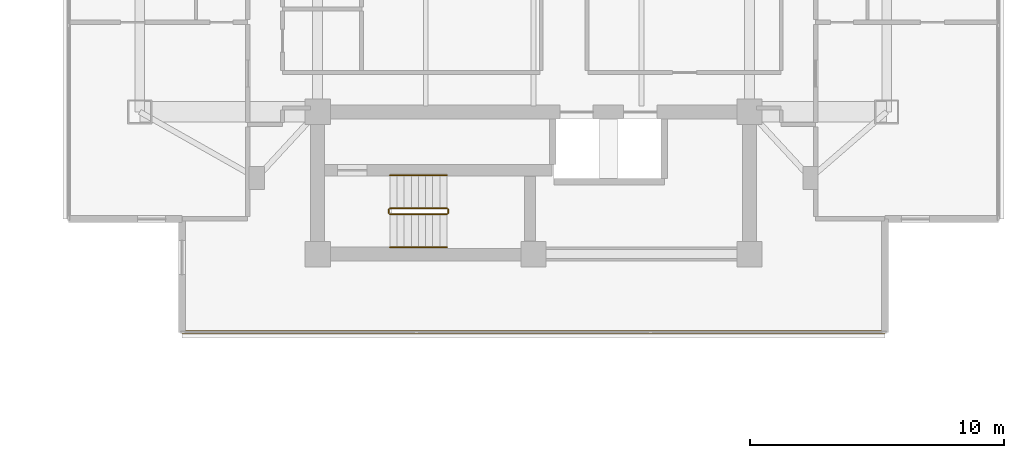
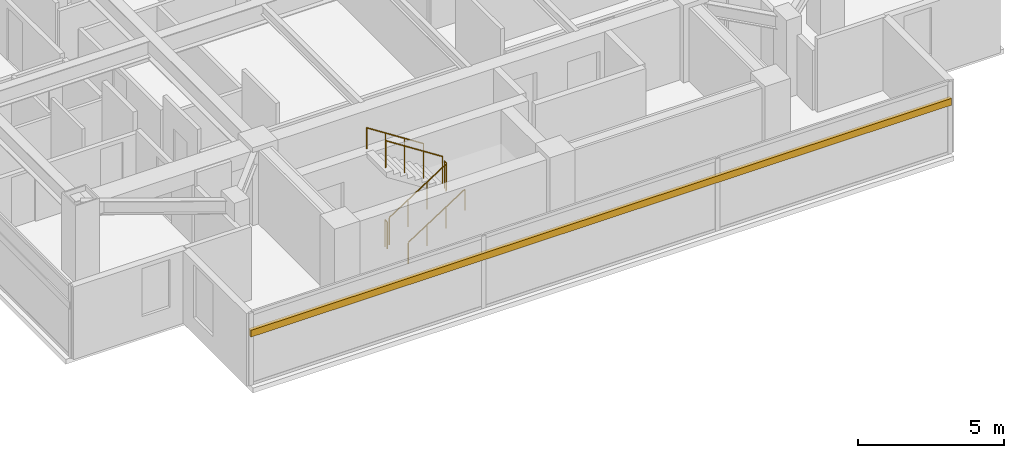
# One storey, part 23 of 25: 6 railings, 1 shading device.
"""IFC4 building model written with IfcOpenShell, lengths in metres."""

from ifc_helpers import new_model, si_unit, direction, frame, origin, origin_2d, place, context, subcontext, project, spatial, rectangle, circle, extrude, material, material_profile, profile_set, type_object, element, save


model = new_model("IFC4")

# Units and contexts
model_context = context("Model", 3, precision=1e-05, world=origin(), true_north=direction((0.0, 1.0)))
body_context = subcontext(model_context, "Body", "Model", "MODEL_VIEW")
ifc_project = project(units=[si_unit("LENGTHUNIT", "METRE"), si_unit("AREAUNIT", "SQUARE_METRE"), si_unit("VOLUMEUNIT", "CUBIC_METRE"), si_unit("PLANEANGLEUNIT", "RADIAN"), si_unit("MASSUNIT", "GRAM", prefix="KILO")], contexts=[model_context])

# Site, building, storey
site_placement = place(None, origin())
site = spatial("IfcSite", under=ifc_project, at=site_placement, CompositionType="ELEMENT")
building_placement = place(site_placement, origin())
building = spatial("IfcBuilding", under=site, at=building_placement, Name="Mirazonda Arch Towers", CompositionType="ELEMENT")
storey_placement = place(building_placement, frame((0.0, 0.0, 177.14990234375)))
storey = spatial("IfcBuildingStorey", under=building, at=storey_placement, Name="L50", CompositionType="ELEMENT", Elevation=177.14990234375)

# Shading device
ifc_material_1 = material(Name="Kiln-Fired Architectural Terracotta", Category="masonry")
ifc_material_profile = material_profile(ifc_material_1, rectangle(XDim=0.139892578125, YDim=0.280029296875, at=origin_2d()), Name="TERRA-BAG-140x280")
ifc_profile_set = profile_set([ifc_material_profile], Name="Kiln-Fired Architectural Terracotta")
shading_device_type = type_object("IfcShadingDeviceType", Name="BAGUETTE-3", PredefinedType="USERDEFINED", material=ifc_profile_set)
shading_device_placement = place(storey_placement, frame((90.333251953125, 12.12548828125, 2.181640625), z_axis=(-1.0, 0.0, 0.0), x_axis=(0.0, -1.0, 0.0)))
element("IfcShadingDevice", 1, at=shading_device_placement, inside=storey, type_object=shading_device_type, Name="L50 Glazed Terracotta Sun-Screen Baguette CW-L50-T2-S", ObjectType="BAGUETTE", PredefinedType="USERDEFINED", context=body_context, shape_type="SweptSolid", body=[
    extrude(rectangle(XDim=0.139892578125, YDim=0.280029296875, at=origin_2d()), origin(), (0.0, 0.0, 1.0), 27.66650390625),
])

# Railings
ifc_material_2 = material(Name="Architectural Brushed Steel S355", Category="steel")
railing_type_1 = type_object("IfcRailingType", Name="GUARD-STAIR-1120", PredefinedType="GUARDRAIL", material=ifc_material_2)
railing_1_placement = place(storey_placement, frame((70.85009765625, 16.77001953125, 0.1806640625)))
element("IfcRailing", 2, at=railing_1_placement, inside=storey, type_object=railing_type_1, Name="L50 ST-T2S stair guard 1", PredefinedType="GUARDRAIL", context=body_context, shape_type="SweptSolid", body=[
    extrude(circle(Radius=0.02392578125, at=origin_2d()), frame((0.0, 0.0, 1.1259765625), z_axis=(0.840436612492, 0.0, 0.541909863706), x_axis=(0.0, 1.0, 0.0)), (0.0, 0.0, 1.0), 2.665283203125),
    extrude(circle(Radius=0.02099609375, at=origin_2d()), origin(), (0.0, 0.0, 1.0), 1.101806640625),
    extrude(circle(Radius=0.02099609375, at=origin_2d()), frame((0.74658203125, 0.0, 0.4814453125)), (0.0, 0.0, 1.0), 1.101806640625),
    extrude(circle(Radius=0.02099609375, at=origin_2d()), frame((1.493408203125, 0.0, 0.962890625)), (0.0, 0.0, 1.0), 1.101806640625),
    extrude(circle(Radius=0.02099609375, at=origin_2d()), frame((2.239990234375, 0.0, 1.4443359375)), (0.0, 0.0, 1.0), 1.101806640625),
])
railing_2_placement = place(storey_placement, frame((73.139892578125, 16.820068359375, 1.625)))
element("IfcRailing", 3, at=railing_2_placement, inside=storey, type_object=railing_type_1, Name="L50 ST-T2S stair guard 2", PredefinedType="GUARDRAIL", context=body_context, shape_type="SweptSolid", body=[
    extrude(circle(Radius=0.02392578125, at=origin_2d()), frame((0.0, 0.0, 1.1259765625), z_axis=(0.0, 1.0, 0.0), x_axis=(-1.0, 0.0, 0.0)), (0.0, 0.0, 1.0), 0.139892578125),
    extrude(circle(Radius=0.02099609375, at=origin_2d()), origin(), (0.0, 0.0, 1.0), 1.101806640625),
    extrude(circle(Radius=0.02099609375, at=origin_2d()), frame((0.0, 0.139892578125, 0.0)), (0.0, 0.0, 1.0), 1.101806640625),
])
railing_3_placement = place(storey_placement, frame((73.090087890625, 17.010009765625, 1.8056640625)))
element("IfcRailing", 4, at=railing_3_placement, inside=storey, type_object=railing_type_1, Name="L50 ST-T2S stair guard 3", PredefinedType="GUARDRAIL", context=body_context, shape_type="SweptSolid", body=[
    extrude(circle(Radius=0.02392578125, at=origin_2d()), frame((0.0, 0.0, 1.1259765625), z_axis=(-0.840436612492, 0.0, 0.541909863706), x_axis=(0.0, -1.0, 0.0)), (0.0, 0.0, 1.0), 2.665283203125),
    extrude(circle(Radius=0.02099609375, at=origin_2d()), origin(), (0.0, 0.0, 1.0), 1.101806640625),
    extrude(circle(Radius=0.02099609375, at=origin_2d()), frame((-0.74658203125, 0.0, 0.4814453125)), (0.0, 0.0, 1.0), 1.101806640625),
    extrude(circle(Radius=0.02099609375, at=origin_2d()), frame((-1.493408203125, 0.0, 0.962890625)), (0.0, 0.0, 1.0), 1.101806640625),
    extrude(circle(Radius=0.02099609375, at=origin_2d()), frame((-2.239990234375, 0.0, 1.4443359375)), (0.0, 0.0, 1.0), 1.101806640625),
])
railing_4_placement = place(storey_placement, frame((70.800048828125, 16.820068359375, 0.0)))
element("IfcRailing", 5, at=railing_4_placement, inside=storey, type_object=railing_type_1, Name="L50 ST-T2S stair guard 4", PredefinedType="GUARDRAIL", context=body_context, shape_type="SweptSolid", body=[
    extrude(circle(Radius=0.02392578125, at=origin_2d()), frame((0.0, 0.0, 1.1259765625), z_axis=(0.0, 1.0, 0.0), x_axis=(-1.0, 0.0, 0.0)), (0.0, 0.0, 1.0), 0.139892578125),
    extrude(circle(Radius=0.02099609375, at=origin_2d()), origin(), (0.0, 0.0, 1.0), 1.101806640625),
    extrude(circle(Radius=0.02099609375, at=origin_2d()), frame((0.0, 0.139892578125, 0.0)), (0.0, 0.0, 1.0), 1.101806640625),
])
railing_type_2 = type_object("IfcRailingType", Name="HANDRAIL-915", PredefinedType="HANDRAIL", material=ifc_material_2)
railing_5_placement = place(storey_placement, frame((70.85009765625, 15.469970703125, 0.1806640625)))
element("IfcRailing", 6, at=railing_5_placement, inside=storey, type_object=railing_type_2, Name="L50 ST-T2S stair handrail 1", PredefinedType="HANDRAIL", context=body_context, shape_type="SweptSolid", body=[
    extrude(circle(Radius=0.02392578125, at=origin_2d()), frame((0.0, 0.0, 0.8759765625), z_axis=(0.840436612492, 0.0, 0.541909863706), x_axis=(0.0, 1.0, 0.0)), (0.0, 0.0, 1.0), 2.665283203125),
    extrude(circle(Radius=0.02099609375, at=origin_2d()), origin(), (0.0, 0.0, 1.0), 0.851806640625),
    extrude(circle(Radius=0.02099609375, at=origin_2d()), frame((0.74658203125, 0.0, 0.4814453125)), (0.0, 0.0, 1.0), 0.851806640625),
    extrude(circle(Radius=0.02099609375, at=origin_2d()), frame((1.493408203125, 0.0, 0.962890625)), (0.0, 0.0, 1.0), 0.851806640625),
    extrude(circle(Radius=0.02099609375, at=origin_2d()), frame((2.239990234375, 0.0, 1.4443359375)), (0.0, 0.0, 1.0), 0.851806640625),
])
railing_6_placement = place(storey_placement, frame((73.090087890625, 18.31005859375, 1.8056640625)))
element("IfcRailing", 7, at=railing_6_placement, inside=storey, type_object=railing_type_2, Name="L50 ST-T2S stair handrail 2", PredefinedType="HANDRAIL", context=body_context, shape_type="SweptSolid", body=[
    extrude(circle(Radius=0.02392578125, at=origin_2d()), frame((0.0, 0.0, 0.8759765625), z_axis=(-0.840436612492, 0.0, 0.541909863706), x_axis=(0.0, -1.0, 0.0)), (0.0, 0.0, 1.0), 2.665283203125),
    extrude(circle(Radius=0.02099609375, at=origin_2d()), origin(), (0.0, 0.0, 1.0), 0.851806640625),
    extrude(circle(Radius=0.02099609375, at=origin_2d()), frame((-0.74658203125, 0.0, 0.4814453125)), (0.0, 0.0, 1.0), 0.851806640625),
    extrude(circle(Radius=0.02099609375, at=origin_2d()), frame((-1.493408203125, 0.0, 0.962890625)), (0.0, 0.0, 1.0), 0.851806640625),
    extrude(circle(Radius=0.02099609375, at=origin_2d()), frame((-2.239990234375, 0.0, 1.4443359375)), (0.0, 0.0, 1.0), 0.851806640625),
])

save(model, "model.ifc")
